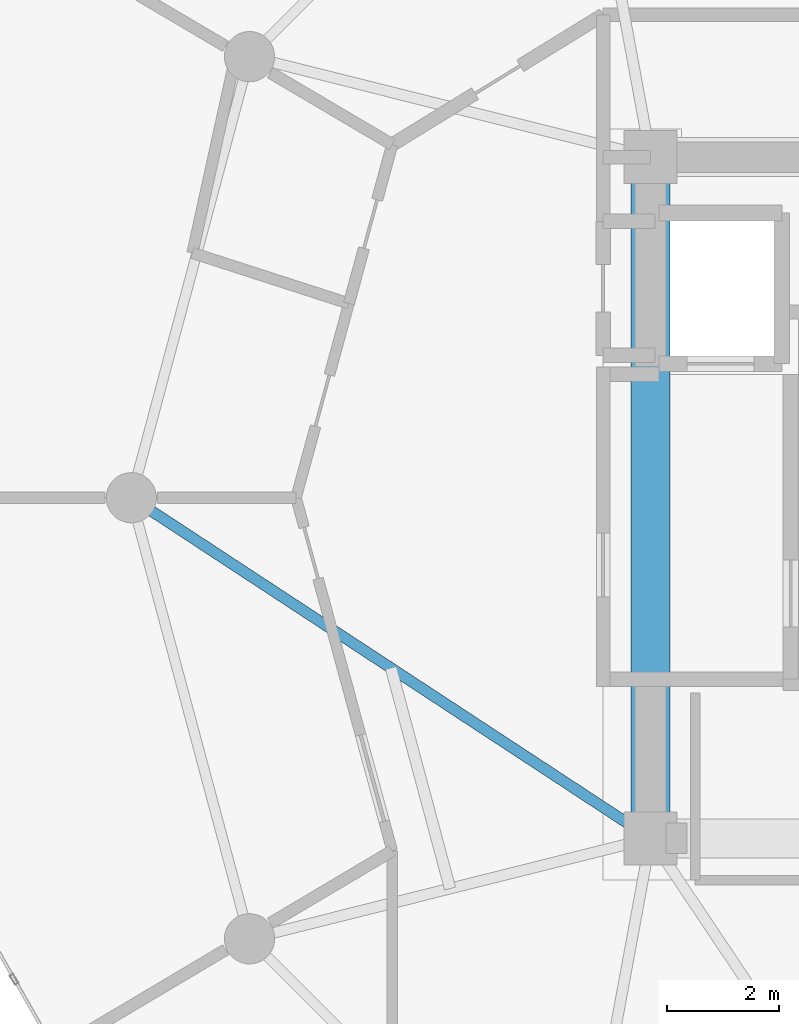
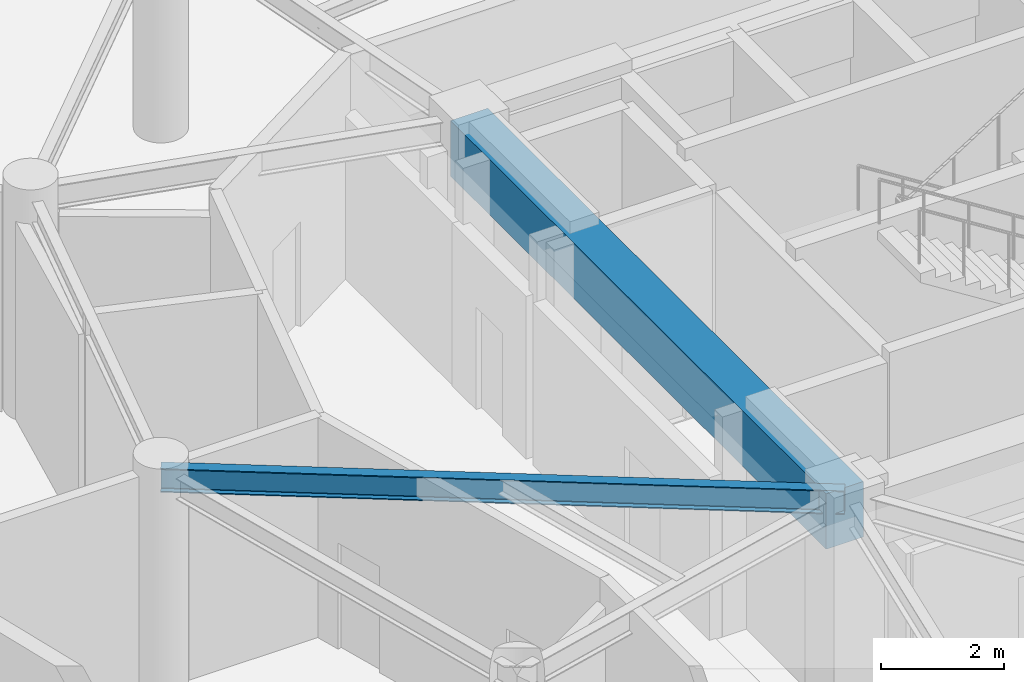
# One storey, part 8 of 23: 2 beams.
"""IFC4 building model written with IfcOpenShell, lengths in metres."""

from ifc_helpers import new_model, si_unit, direction, frame, origin, origin_2d, place, context, subcontext, project, spatial, rectangle, i_section, extrude, material, material_profile, profile_set, type_object, element, save


model = new_model("IFC4")

# Units and contexts
model_context = context("Model", 3, precision=1e-05, world=origin(), true_north=direction((0.0, 1.0)))
body_context = subcontext(model_context, "Body", "Model", "MODEL_VIEW")
ifc_project = project(units=[si_unit("LENGTHUNIT", "METRE"), si_unit("AREAUNIT", "SQUARE_METRE"), si_unit("VOLUMEUNIT", "CUBIC_METRE"), si_unit("PLANEANGLEUNIT", "RADIAN"), si_unit("MASSUNIT", "GRAM", prefix="KILO")], contexts=[model_context])

# Site, building, storey
site_placement = place(None, origin())
site = spatial("IfcSite", under=ifc_project, at=site_placement, CompositionType="ELEMENT")
building_placement = place(site_placement, origin())
building = spatial("IfcBuilding", under=site, at=building_placement, Name="Solvirekh Grand Hotel", CompositionType="ELEMENT")
storey_placement = place(building_placement, frame((0.0, 0.0, 168.60009765625)))
storey = spatial("IfcBuildingStorey", under=building, at=storey_placement, Name="L43", CompositionType="ELEMENT", Elevation=168.60009765625)

# Beams
ifc_material_1 = material(Name="Concrete C60/75", Category="concrete")
ifc_material_profile_1 = material_profile(ifc_material_1, rectangle(XDim=0.699951171875, YDim=1.10009765625, at=origin_2d()), Name="RC BEAM 700X1100")
ifc_profile_set_1 = profile_set([ifc_material_profile_1], Name="Concrete C60/75")
beam_type_1 = type_object("IfcBeamType", Name="Beam_Core_RC1100", PredefinedType="BEAM", material=ifc_profile_set_1)
beam_1_placement = place(storey_placement, frame((-6.5, 6.10009765625, 3.809814453125), z_axis=(0.0, -1.0, 0.0), x_axis=(1.0, 0.0, 0.0)))
element("IfcBeam", 1, at=beam_1_placement, inside=storey, type_object=beam_type_1, Name="L43 core coupling ring beam 4", PredefinedType="BEAM", context=body_context, shape_type="SweptSolid", body=[
    extrude(rectangle(XDim=0.699951171875, YDim=1.10009765625, at=origin_2d()), origin(), (0.0, 0.0, 1.0), 12.2001953125),
])
ifc_material_2 = material(Name="Steel S355", Category="steel")
ifc_material_profile_2 = material_profile(ifc_material_2, i_section(OverallWidth=0.194091796875, OverallDepth=0.468994140625, WebThickness=0.010986328125, FlangeThickness=0.01904296875, FilletRadius=0.012939453125, at=origin_2d()), Name="W460X106")
ifc_profile_set_2 = profile_set([ifc_material_profile_2], Name="Steel S355")
beam_type_2 = type_object("IfcBeamType", Name="Beam_Radial_W460H", PredefinedType="BEAM", material=ifc_profile_set_2)
beam_2_placement = place(storey_placement, frame((-6.5, -6.10009765625, 4.1259765625), z_axis=(-0.836174064962, 0.548464158432, 0.0), x_axis=(-0.548464158432, -0.836174064962, 0.0)))
element("IfcBeam", 2, at=beam_2_placement, inside=storey, type_object=beam_type_2, Name="L43 radial floor beam R07", PredefinedType="BEAM", context=body_context, shape_type="SweptSolid", body=[
    extrude(i_section(OverallWidth=0.194091796875, OverallDepth=0.468994140625, WebThickness=0.010986328125, FlangeThickness=0.01904296875, FilletRadius=0.012939453125, at=origin_2d()), origin(), (0.0, 0.0, 1.0), 11.1220703125),
])

save(model, "model.ifc")
